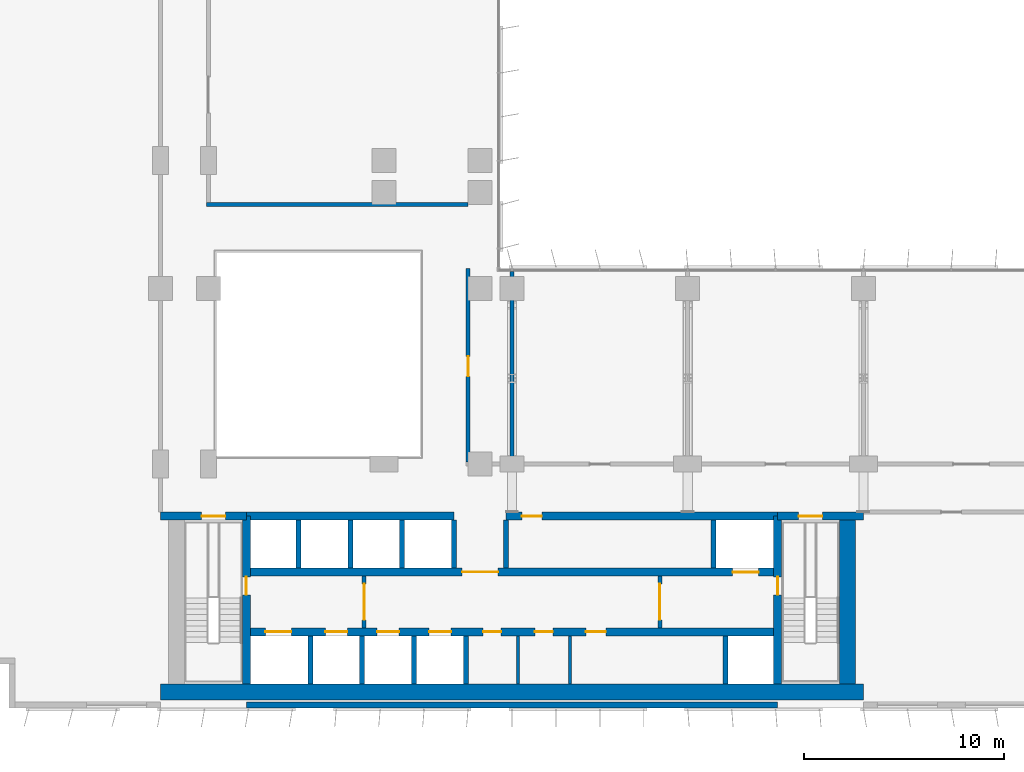
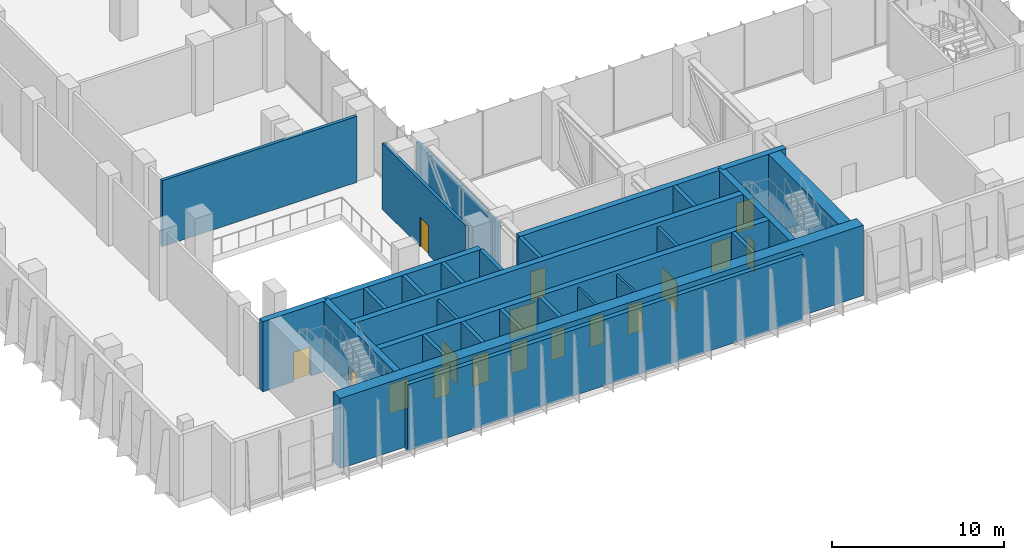
# One storey, part 12 of 21: 29 walls, 17 doors, 17 openings.
"""IFC4 building model written with IfcOpenShell, lengths in metres."""

from ifc_helpers import new_model, si_unit, direction, frame, frame_2d, origin, place, context, subcontext, project, spatial, rectangle, extrude, material, layer, layer_set, type_object, element, fill, save


model = new_model("IFC4")

# Units and contexts
model_context = context("Model", 3, precision=1e-05, world=origin(), true_north=direction((0.0, 1.0)))
body_context = subcontext(model_context, "Body", "Model", "MODEL_VIEW")
ifc_project = project(units=[si_unit("LENGTHUNIT", "METRE"), si_unit("AREAUNIT", "SQUARE_METRE"), si_unit("VOLUMEUNIT", "CUBIC_METRE"), si_unit("PLANEANGLEUNIT", "RADIAN"), si_unit("MASSUNIT", "GRAM", prefix="KILO")], contexts=[model_context])

# Site, building, storey
site_placement = place(None, origin())
site = spatial("IfcSite", under=ifc_project, at=site_placement, CompositionType="ELEMENT")
building_placement = place(site_placement, origin())
building = spatial("IfcBuilding", under=site, at=building_placement, Name="Kemantara Hotel Tower", CompositionType="ELEMENT")
storey_placement = place(building_placement, frame((0.0, 0.0, 133.300048828125)))
storey = spatial("IfcBuildingStorey", under=building, at=storey_placement, Name="L32", CompositionType="ELEMENT", Elevation=133.300048828125)

# Walls
ifc_material_1 = material(Name="Bronze anodised aluminium cladding on insulated steel stud wall", Category="steel")
ifc_layer_1 = layer(ifc_material_1, 0.300048828125)
ifc_layer_set_1 = layer_set([ifc_layer_1], Name="Bronze anodised aluminium cladding on insulated steel stud wall")
wall_type_1 = type_object("IfcWallType", Name="BRONZE METAL-CLAD EXTERNAL WALL 300", PredefinedType="STANDARD", material=ifc_layer_set_1)
wall_1_placement = place(storey_placement, frame((14.10009765625, 0.14990234375, 0.0), z_axis=(0.0, 0.0, 1.0), x_axis=(1.0, 0.0, 0.0)))
element("IfcWall", 1, at=wall_1_placement, inside=storey, type_object=wall_type_1, Name="EXTERNAL WALL L32 T2-R07-2", PredefinedType="STANDARD", context=body_context, shape_type="SweptSolid", body=[
    extrude(rectangle(XDim=26.599853515625, YDim=0.300048828125, at=frame_2d((13.2998046875, 0.0))), origin(), (0.0, 0.0, 1.0), 4.699951171875),
])
ifc_material_2 = material(Name="Concrete fc 70 MPa", Category="concrete")
ifc_layer_2 = layer(ifc_material_2, 0.25)
ifc_layer_set_2 = layer_set([ifc_layer_2], Name="Concrete fc 70 MPa")
wall_type_2 = type_object("IfcWallType", Name="CORE WALL 250 FC70", PredefinedType="SHEAR", material=ifc_layer_set_2)
for number, where, z_axis, x_axis, name in (
    (2, (17.300048828125, 1.199951171875, 0.0), (0.0, 0.0, 1.0), (0.0, 1.0, 0.0), "CORE WALL CW-DS17.3"),
    (3, (19.89990234375, 1.199951171875, 0.0), (0.0, 0.0, 1.0), (0.0, 1.0, 0.0), "CORE WALL CW-DS19.9"),
    (4, (22.5, 1.199951171875, 0.0), (0.0, 0.0, 1.0), (0.0, 1.0, 0.0), "CORE WALL CW-DS22.5"),
    (5, (25.10009765625, 1.199951171875, 0.0), (0.0, 0.0, 1.0), (0.0, 1.0, 0.0), "CORE WALL CW-DS25.1"),
    (6, (38.10009765625, 1.199951171875, 0.0), (0.0, 0.0, 1.0), (0.0, 1.0, 0.0), "CORE WALL CW-DS38.1"),
):
    element("IfcWall", number, at=place(storey_placement, frame(where, z_axis=z_axis, x_axis=x_axis)), inside=storey, type_object=wall_type_2, Name=name, PredefinedType="SHEAR", context=body_context, shape_type="SweptSolid", body=[
        extrude(rectangle(XDim=2.400146484375, YDim=0.25, at=frame_2d((1.2001953125, 0.0))), origin(), (0.0, 0.0, 1.0), 5.0),
    ])
for number, where, z_axis, x_axis, name in (
    (7, (16.699951171875, 7.0, 0.0), (0.0, 0.0, 1.0), (0.0, 1.0, 0.0), "CORE WALL CW-DN16.7"),
    (8, (19.300048828125, 7.0, 0.0), (0.0, 0.0, 1.0), (0.0, 1.0, 0.0), "CORE WALL CW-DN19.3"),
    (9, (21.89990234375, 7.0, 0.0), (0.0, 0.0, 1.0), (0.0, 1.0, 0.0), "CORE WALL CW-DN21.9"),
    (10, (24.5, 7.0, 0.0), (0.0, 0.0, 1.0), (0.0, 1.0, 0.0), "CORE WALL CW-DN24.5"),
    (11, (27.10009765625, 7.0, 0.0), (0.0, 0.0, 1.0), (0.0, 1.0, 0.0), "CORE WALL CW-DN27.1"),
    (12, (37.5, 7.0, 0.0), (0.0, 0.0, 1.0), (0.0, 1.0, 0.0), "CORE WALL CW-DN37.5"),
):
    element("IfcWall", number, at=place(storey_placement, frame(where, z_axis=z_axis, x_axis=x_axis)), inside=storey, type_object=wall_type_2, Name=name, PredefinedType="SHEAR", context=body_context, shape_type="SweptSolid", body=[
        extrude(rectangle(XDim=2.39990234375, YDim=0.25, at=frame_2d((1.199951171875, 0.0))), origin(), (0.0, 0.0, 1.0), 5.0),
    ])

# Wall, opening, door
ifc_layer_3 = layer(ifc_material_2, 0.39990234375)
ifc_layer_set_3 = layer_set([ifc_layer_3], Name="Concrete fc 70 MPa")
wall_type_3 = type_object("IfcWallType", Name="CORE WALL 400 FC70", PredefinedType="SHEAR", material=ifc_layer_set_3)
wall_2_placement = place(storey_placement, frame((9.800048828125, 9.60009765625, 0.0), z_axis=(0.0, 0.0, 1.0), x_axis=(1.0, 0.0, 0.0)))
wall_2 = element("IfcWall", 13, at=wall_2_placement, inside=storey, type_object=wall_type_3, Name="CORE WALL CW-N1", PredefinedType="SHEAR", context=body_context, shape_type="SweptSolid", body=[
    extrude(rectangle(XDim=4.300048828125, YDim=0.39990234375, at=frame_2d((2.14990234375, 0.0))), origin(), (0.0, 0.0, 1.0), 5.0),
])
opening_1_placement = place(wall_2_placement, frame((2.050048828125, 0.0, 0.0)))
opening_1 = element("IfcOpeningElement", 14, at=opening_1_placement, cuts=wall_2, Name="Opening C21-ST1-C", PredefinedType="OPENING", context=body_context, shape_type="SweptSolid", body=[
    extrude(rectangle(XDim=1.199951171875, YDim=2.10009765625, at=frame_2d((0.60009765625, 1.050048828125))), frame((0.0, 0.2099609375, 0.0), z_axis=(0.0, -1.0, 0.0), x_axis=(1.0, 0.0, 0.0)), (0.0, 0.0, 1.0), 0.419921875),
])
ifc_material_3 = material(Name="Steel fire door", Category="steel")
door_type_1 = type_object("IfcDoorType", Name="Fire door FD90 1200 x 2100", OperationType="NOTDEFINED", PredefinedType="DOOR", material=ifc_material_3)
door_1_placement = place(opening_1_placement, frame((1.199951171875, 0.0, 0.0), z_axis=(0.0, 0.0, 1.0), x_axis=(-1.0, 0.0, 0.0)))
door_1 = element("IfcDoor", 15, at=door_1_placement, inside=storey, type_object=door_type_1, Name="Stair ST1 door to corridor", OperationType="SINGLE_SWING_LEFT", OverallHeight=2.10009765625, OverallWidth=1.199951171875, PredefinedType="DOOR", context=body_context, shape_type="SweptSolid", body=[
    extrude(rectangle(XDim=1.199951171875, YDim=2.10009765625, at=frame_2d((0.60009765625, 1.050048828125))), frame((0.0, 0.02490234375, 0.0), z_axis=(0.0, -1.0, 0.0), x_axis=(1.0, 0.0, 0.0)), (0.0, 0.0, 1.0), 0.050048828125),
])
fill(opening_1, door_1)

wall_3_placement = place(storey_placement, frame((40.699951171875, 9.60009765625, 0.0), z_axis=(0.0, 0.0, 1.0), x_axis=(1.0, 0.0, 0.0)))
wall_3 = element("IfcWall", 16, at=wall_3_placement, inside=storey, type_object=wall_type_3, Name="CORE WALL CW-N2", PredefinedType="SHEAR", context=body_context, shape_type="SweptSolid", body=[
    extrude(rectangle(XDim=4.300048828125, YDim=0.39990234375, at=frame_2d((2.14990234375, 0.0))), origin(), (0.0, 0.0, 1.0), 5.0),
])
opening_2_placement = place(wall_3_placement, frame((1.050048828125, 0.0, 0.0)))
opening_2 = element("IfcOpeningElement", 17, at=opening_2_placement, cuts=wall_3, Name="Opening C21-ST2-C", PredefinedType="OPENING", context=body_context, shape_type="SweptSolid", body=[
    extrude(rectangle(XDim=1.199951171875, YDim=2.10009765625, at=frame_2d((0.60009765625, 1.050048828125))), frame((0.0, 0.2099609375, 0.0), z_axis=(0.0, -1.0, 0.0), x_axis=(1.0, 0.0, 0.0)), (0.0, 0.0, 1.0), 0.419921875),
])
door_2_placement = place(opening_2_placement, frame((1.199951171875, 0.0, 0.0), z_axis=(0.0, 0.0, 1.0), x_axis=(-1.0, 0.0, 0.0)))
door_2 = element("IfcDoor", 18, at=door_2_placement, inside=storey, type_object=door_type_1, Name="Stair ST2 door to corridor", OperationType="SINGLE_SWING_RIGHT", OverallHeight=2.10009765625, OverallWidth=1.199951171875, PredefinedType="DOOR", context=body_context, shape_type="SweptSolid", body=[
    extrude(rectangle(XDim=1.199951171875, YDim=2.10009765625, at=frame_2d((0.60009765625, 1.050048828125))), frame((0.0, 0.02490234375, 0.0), z_axis=(0.0, -1.0, 0.0), x_axis=(1.0, 0.0, 0.0)), (0.0, 0.0, 1.0), 0.050048828125),
])
fill(opening_2, door_2)

# Wall
wall_4_placement = place(storey_placement, frame((14.10009765625, 9.60009765625, 0.0), z_axis=(0.0, 0.0, 1.0), x_axis=(1.0, 0.0, 0.0)))
element("IfcWall", 19, at=wall_4_placement, inside=storey, type_object=wall_type_3, Name="CORE WALL CW-NN1", PredefinedType="SHEAR", context=body_context, shape_type="SweptSolid", body=[
    extrude(rectangle(XDim=10.39990234375, YDim=0.39990234375, at=frame_2d((5.199951171875, 0.0))), origin(), (0.0, 0.0, 1.0), 5.0),
])

# Wall, opening, door
wall_5_placement = place(storey_placement, frame((27.10009765625, 9.60009765625, 0.0), z_axis=(0.0, 0.0, 1.0), x_axis=(1.0, 0.0, 0.0)))
wall_5 = element("IfcWall", 20, at=wall_5_placement, inside=storey, type_object=wall_type_3, Name="CORE WALL CW-NN2", PredefinedType="SHEAR", context=body_context, shape_type="SweptSolid", body=[
    extrude(rectangle(XDim=13.599853515625, YDim=0.39990234375, at=frame_2d((6.7998046875, 0.0))), origin(), (0.0, 0.0, 1.0), 5.0),
])
opening_3_placement = place(wall_5_placement, frame((0.800048828125, 0.0, 0.0)))
opening_3 = element("IfcOpeningElement", 21, at=opening_3_placement, cuts=wall_5, Name="Opening C21-R-NE1", PredefinedType="OPENING", context=body_context, shape_type="SweptSolid", body=[
    extrude(rectangle(XDim=1.0, YDim=2.10009765625, at=frame_2d((0.5, 1.050048828125))), frame((0.0, 0.2099609375, 0.0), z_axis=(0.0, -1.0, 0.0), x_axis=(1.0, 0.0, 0.0)), (0.0, 0.0, 1.0), 0.419921875),
])
door_type_2 = type_object("IfcDoorType", Name="Fire door FD60 1000 x 2100", OperationType="NOTDEFINED", PredefinedType="DOOR", material=ifc_material_3)
door_3_placement = place(opening_3_placement, frame((1.0, 0.0, 0.0), z_axis=(0.0, 0.0, 1.0), x_axis=(-1.0, 0.0, 0.0)))
door_3 = element("IfcDoor", 22, at=door_3_placement, inside=storey, type_object=door_type_2, Name="Chilled Water Plant Room door", OperationType="SINGLE_SWING_RIGHT", OverallHeight=2.10009765625, OverallWidth=1.0, PredefinedType="DOOR", context=body_context, shape_type="SweptSolid", body=[
    extrude(rectangle(XDim=1.0, YDim=2.10009765625, at=frame_2d((0.5, 1.050048828125))), frame((0.0, 0.02490234375, 0.0), z_axis=(0.0, -1.0, 0.0), x_axis=(1.0, 0.0, 0.0)), (0.0, 0.0, 1.0), 0.050048828125),
])
fill(opening_3, door_3)

# Wall, openings, doors
wall_6_placement = place(storey_placement, frame((14.10009765625, 3.800048828125, 0.0), z_axis=(0.0, 0.0, 1.0), x_axis=(1.0, 0.0, 0.0)))
wall_6 = element("IfcWall", 23, at=wall_6_placement, inside=storey, type_object=wall_type_3, Name="CORE WALL CW-L1", PredefinedType="SHEAR", context=body_context, shape_type="SweptSolid", body=[
    extrude(rectangle(XDim=26.599853515625, YDim=0.39990234375, at=frame_2d((13.2998046875, 0.0))), origin(), (0.0, 0.0, 1.0), 5.0),
])
opening_4_placement = place(wall_6_placement, frame((0.949951171875, 0.0, 0.0)))
opening_4 = element("IfcOpeningElement", 24, at=opening_4_placement, cuts=wall_6, Name="Opening C21-LD-FF1", PredefinedType="OPENING", context=body_context, shape_type="SweptSolid", body=[
    extrude(rectangle(XDim=1.300048828125, YDim=2.10009765625, at=frame_2d((0.64990234375, 1.050048828125))), frame((0.0, 0.2099609375, 0.0), z_axis=(0.0, -1.0, 0.0), x_axis=(1.0, 0.0, 0.0)), (0.0, 0.0, 1.0), 0.419921875),
])
opening_5_placement = place(wall_6_placement, frame((3.949951171875, 0.0, 0.0)))
opening_5 = element("IfcOpeningElement", 25, at=opening_5_placement, cuts=wall_6, Name="Opening C21-LD-SV1", PredefinedType="OPENING", context=body_context, shape_type="SweptSolid", body=[
    extrude(rectangle(XDim=1.10009765625, YDim=2.10009765625, at=frame_2d((0.550048828125, 1.050048828125))), frame((0.0, 0.2099609375, 0.0), z_axis=(0.0, -1.0, 0.0), x_axis=(1.0, 0.0, 0.0)), (0.0, 0.0, 1.0), 0.419921875),
])
opening_6_placement = place(wall_6_placement, frame((6.550048828125, 0.0, 0.0)))
opening_6 = element("IfcOpeningElement", 26, at=opening_6_placement, cuts=wall_6, Name="Opening C21-LD-SV2", PredefinedType="OPENING", context=body_context, shape_type="SweptSolid", body=[
    extrude(rectangle(XDim=1.10009765625, YDim=2.10009765625, at=frame_2d((0.550048828125, 1.050048828125))), frame((0.0, 0.2099609375, 0.0), z_axis=(0.0, -1.0, 0.0), x_axis=(1.0, 0.0, 0.0)), (0.0, 0.0, 1.0), 0.419921875),
])
opening_7_placement = place(wall_6_placement, frame((9.14990234375, 0.0, 0.0)))
opening_7 = element("IfcOpeningElement", 27, at=opening_7_placement, cuts=wall_6, Name="Opening C21-LD-SV3", PredefinedType="OPENING", context=body_context, shape_type="SweptSolid", body=[
    extrude(rectangle(XDim=1.10009765625, YDim=2.10009765625, at=frame_2d((0.550048828125, 1.050048828125))), frame((0.0, 0.2099609375, 0.0), z_axis=(0.0, -1.0, 0.0), x_axis=(1.0, 0.0, 0.0)), (0.0, 0.0, 1.0), 0.419921875),
])
opening_8_placement = place(wall_6_placement, frame((11.85009765625, 0.0, 0.0)))
opening_8 = element("IfcOpeningElement", 28, at=opening_8_placement, cuts=wall_6, Name="Opening C21-R-SM1", PredefinedType="OPENING", context=body_context, shape_type="SweptSolid", body=[
    extrude(rectangle(XDim=0.89990234375, YDim=2.10009765625, at=frame_2d((0.449951171875, 1.050048828125))), frame((0.0, 0.2099609375, 0.0), z_axis=(0.0, -1.0, 0.0), x_axis=(1.0, 0.0, 0.0)), (0.0, 0.0, 1.0), 0.419921875),
])
opening_9_placement = place(wall_6_placement, frame((14.449951171875, 0.0, 0.0)))
opening_9 = element("IfcOpeningElement", 29, at=opening_9_placement, cuts=wall_6, Name="Opening C21-R-SM2", PredefinedType="OPENING", context=body_context, shape_type="SweptSolid", body=[
    extrude(rectangle(XDim=0.89990234375, YDim=2.10009765625, at=frame_2d((0.449951171875, 1.050048828125))), frame((0.0, 0.2099609375, 0.0), z_axis=(0.0, -1.0, 0.0), x_axis=(1.0, 0.0, 0.0)), (0.0, 0.0, 1.0), 0.419921875),
])
opening_10_placement = place(wall_6_placement, frame((17.0, 0.0, 0.0)))
opening_10 = element("IfcOpeningElement", 30, at=opening_10_placement, cuts=wall_6, Name="Opening C21-R-SM3", PredefinedType="OPENING", context=body_context, shape_type="SweptSolid", body=[
    extrude(rectangle(XDim=1.0, YDim=2.10009765625, at=frame_2d((0.5, 1.050048828125))), frame((0.0, 0.2099609375, 0.0), z_axis=(0.0, -1.0, 0.0), x_axis=(1.0, 0.0, 0.0)), (0.0, 0.0, 1.0), 0.419921875),
])
door_4_placement = place(opening_10_placement, frame((1.0, 0.0, 0.0), z_axis=(0.0, 0.0, 1.0), x_axis=(-1.0, 0.0, 0.0)))
door_4 = element("IfcDoor", 31, at=door_4_placement, inside=storey, type_object=door_type_2, Name="Air Handling Plant Room door", OperationType="SINGLE_SWING_LEFT", OverallHeight=2.10009765625, OverallWidth=1.0, PredefinedType="DOOR", context=body_context, shape_type="SweptSolid", body=[
    extrude(rectangle(XDim=1.0, YDim=2.10009765625, at=frame_2d((0.5, 1.050048828125))), frame((0.0, 0.02490234375, 0.0), z_axis=(0.0, -1.0, 0.0), x_axis=(1.0, 0.0, 0.0)), (0.0, 0.0, 1.0), 0.050048828125),
])
fill(opening_10, door_4)
door_type_3 = type_object("IfcDoorType", Name="Fire door FD60 900 x 2100", OperationType="NOTDEFINED", PredefinedType="DOOR", material=ifc_material_3)
door_5_placement = place(opening_8_placement, frame((0.89990234375, 0.0, 0.0), z_axis=(0.0, 0.0, 1.0), x_axis=(-1.0, 0.0, 0.0)))
door_5 = element("IfcDoor", 32, at=door_5_placement, inside=storey, type_object=door_type_3, Name="Electrical Riser Room door", OperationType="SINGLE_SWING_RIGHT", OverallHeight=2.10009765625, OverallWidth=0.89990234375, PredefinedType="DOOR", context=body_context, shape_type="SweptSolid", body=[
    extrude(rectangle(XDim=0.89990234375, YDim=2.10009765625, at=frame_2d((0.449951171875, 1.050048828125))), frame((0.0, 0.02490234375, 0.0), z_axis=(0.0, -1.0, 0.0), x_axis=(1.0, 0.0, 0.0)), (0.0, 0.0, 1.0), 0.050048828125),
])
fill(opening_8, door_5)
door_6_placement = place(opening_9_placement, frame((0.89990234375, 0.0, 0.0), z_axis=(0.0, 0.0, 1.0), x_axis=(-1.0, 0.0, 0.0)))
door_6 = element("IfcDoor", 33, at=door_6_placement, inside=storey, type_object=door_type_3, Name="Comms Equipment Room door", OperationType="SINGLE_SWING_LEFT", OverallHeight=2.10009765625, OverallWidth=0.89990234375, PredefinedType="DOOR", context=body_context, shape_type="SweptSolid", body=[
    extrude(rectangle(XDim=0.89990234375, YDim=2.10009765625, at=frame_2d((0.449951171875, 1.050048828125))), frame((0.0, 0.02490234375, 0.0), z_axis=(0.0, -1.0, 0.0), x_axis=(1.0, 0.0, 0.0)), (0.0, 0.0, 1.0), 0.050048828125),
])
fill(opening_9, door_6)
ifc_material_4 = material(Name="Stainless steel lift door", Category="steel")
door_type_4 = type_object("IfcDoorType", Name="Lift landing door 1100 x 2100 FD60", OperationType="DOUBLE_DOOR_SLIDING", PredefinedType="DOOR", material=ifc_material_4)
door_7_placement = place(opening_5_placement, origin())
door_7 = element("IfcDoor", 34, at=door_7_placement, inside=storey, type_object=door_type_4, Name="Lift SV1 landing door", OperationType="DOUBLE_DOOR_SLIDING", OverallHeight=2.10009765625, OverallWidth=1.10009765625, PredefinedType="DOOR", context=body_context, shape_type="SweptSolid", body=[
    extrude(rectangle(XDim=1.10009765625, YDim=2.10009765625, at=frame_2d((0.550048828125, 1.050048828125))), frame((0.0, 0.02490234375, 0.0), z_axis=(0.0, -1.0, 0.0), x_axis=(1.0, 0.0, 0.0)), (0.0, 0.0, 1.0), 0.050048828125),
])
fill(opening_5, door_7)
door_8_placement = place(opening_6_placement, origin())
door_8 = element("IfcDoor", 35, at=door_8_placement, inside=storey, type_object=door_type_4, Name="Lift SV2 landing door", OperationType="DOUBLE_DOOR_SLIDING", OverallHeight=2.10009765625, OverallWidth=1.10009765625, PredefinedType="DOOR", context=body_context, shape_type="SweptSolid", body=[
    extrude(rectangle(XDim=1.10009765625, YDim=2.10009765625, at=frame_2d((0.550048828125, 1.050048828125))), frame((0.0, 0.02490234375, 0.0), z_axis=(0.0, -1.0, 0.0), x_axis=(1.0, 0.0, 0.0)), (0.0, 0.0, 1.0), 0.050048828125),
])
fill(opening_6, door_8)
door_9_placement = place(opening_7_placement, origin())
door_9 = element("IfcDoor", 36, at=door_9_placement, inside=storey, type_object=door_type_4, Name="Lift SV3 landing door", OperationType="DOUBLE_DOOR_SLIDING", OverallHeight=2.10009765625, OverallWidth=1.10009765625, PredefinedType="DOOR", context=body_context, shape_type="SweptSolid", body=[
    extrude(rectangle(XDim=1.10009765625, YDim=2.10009765625, at=frame_2d((0.550048828125, 1.050048828125))), frame((0.0, 0.02490234375, 0.0), z_axis=(0.0, -1.0, 0.0), x_axis=(1.0, 0.0, 0.0)), (0.0, 0.0, 1.0), 0.050048828125),
])
fill(opening_7, door_9)
door_type_5 = type_object("IfcDoorType", Name="Lift landing door 1300 x 2100 FD90", OperationType="DOUBLE_DOOR_SLIDING", PredefinedType="DOOR", material=ifc_material_4)
door_10_placement = place(opening_4_placement, origin())
door_10 = element("IfcDoor", 37, at=door_10_placement, inside=storey, type_object=door_type_5, Name="Lift FF1 landing door", OperationType="DOUBLE_DOOR_SLIDING", OverallHeight=2.10009765625, OverallWidth=1.300048828125, PredefinedType="DOOR", context=body_context, shape_type="SweptSolid", body=[
    extrude(rectangle(XDim=1.300048828125, YDim=2.10009765625, at=frame_2d((0.64990234375, 1.050048828125))), frame((0.0, 0.02490234375, 0.0), z_axis=(0.0, -1.0, 0.0), x_axis=(1.0, 0.0, 0.0)), (0.0, 0.0, 1.0), 0.050048828125),
])
fill(opening_4, door_10)

wall_7_placement = place(storey_placement, frame((14.10009765625, 6.800048828125, 0.0), z_axis=(0.0, 0.0, 1.0), x_axis=(1.0, 0.0, 0.0)))
wall_7 = element("IfcWall", 38, at=wall_7_placement, inside=storey, type_object=wall_type_3, Name="CORE WALL CW-L2", PredefinedType="SHEAR", context=body_context, shape_type="SweptSolid", body=[
    extrude(rectangle(XDim=26.599853515625, YDim=0.39990234375, at=frame_2d((13.2998046875, 0.0))), origin(), (0.0, 0.0, 1.0), 5.0),
])
opening_11_placement = place(wall_7_placement, frame((10.800048828125, 0.0, 0.0)))
opening_11 = element("IfcOpeningElement", 39, at=opening_11_placement, cuts=wall_7, Name="Opening C21-VL", PredefinedType="OPENING", context=body_context, shape_type="SweptSolid", body=[
    extrude(rectangle(XDim=1.800048828125, YDim=2.10009765625, at=frame_2d((0.89990234375, 1.050048828125))), frame((0.0, 0.2099609375, 0.0), z_axis=(0.0, -1.0, 0.0), x_axis=(1.0, 0.0, 0.0)), (0.0, 0.0, 1.0), 0.419921875),
])
opening_12_placement = place(wall_7_placement, frame((24.35009765625, 0.0, 0.0)))
opening_12 = element("IfcOpeningElement", 40, at=opening_12_placement, cuts=wall_7, Name="Opening C21-LD-FF2", PredefinedType="OPENING", context=body_context, shape_type="SweptSolid", body=[
    extrude(rectangle(XDim=1.300048828125, YDim=2.10009765625, at=frame_2d((0.64990234375, 1.050048828125))), frame((0.0, 0.2099609375, 0.0), z_axis=(0.0, -1.0, 0.0), x_axis=(1.0, 0.0, 0.0)), (0.0, 0.0, 1.0), 0.419921875),
])
door_type_6 = type_object("IfcDoorType", Name="Fire door pair FD60 1800 x 2100", OperationType="DOUBLE_DOOR_SINGLE_SWING", PredefinedType="DOOR", material=ifc_material_3)
door_11_placement = place(opening_11_placement, frame((1.800048828125, 0.0, 0.0), z_axis=(0.0, 0.0, 1.0), x_axis=(-1.0, 0.0, 0.0)))
door_11 = element("IfcDoor", 41, at=door_11_placement, inside=storey, type_object=door_type_6, Name="Lift lobby entry door", OperationType="DOUBLE_DOOR_SINGLE_SWING", OverallHeight=2.10009765625, OverallWidth=1.800048828125, PredefinedType="DOOR", context=body_context, shape_type="SweptSolid", body=[
    extrude(rectangle(XDim=1.800048828125, YDim=2.10009765625, at=frame_2d((0.89990234375, 1.050048828125))), frame((0.0, 0.02490234375, 0.0), z_axis=(0.0, -1.0, 0.0), x_axis=(1.0, 0.0, 0.0)), (0.0, 0.0, 1.0), 0.050048828125),
])
fill(opening_11, door_11)
door_12_placement = place(opening_12_placement, origin())
door_12 = element("IfcDoor", 42, at=door_12_placement, inside=storey, type_object=door_type_5, Name="Lift FF2 landing door", OperationType="DOUBLE_DOOR_SLIDING", OverallHeight=2.10009765625, OverallWidth=1.300048828125, PredefinedType="DOOR", context=body_context, shape_type="SweptSolid", body=[
    extrude(rectangle(XDim=1.300048828125, YDim=2.10009765625, at=frame_2d((0.64990234375, 1.050048828125))), frame((0.0, 0.02490234375, 0.0), z_axis=(0.0, -1.0, 0.0), x_axis=(1.0, 0.0, 0.0)), (0.0, 0.0, 1.0), 0.050048828125),
])
fill(opening_12, door_12)

# Wall, opening, door
wall_8_placement = place(storey_placement, frame((14.10009765625, 1.199951171875, 0.0), z_axis=(0.0, 0.0, 1.0), x_axis=(0.0, 1.0, 0.0)))
wall_8 = element("IfcWall", 43, at=wall_8_placement, inside=storey, type_object=wall_type_3, Name="CORE WALL CW-ST1E", PredefinedType="SHEAR", context=body_context, shape_type="SweptSolid", body=[
    extrude(rectangle(XDim=8.400146484375, YDim=0.39990234375, at=frame_2d((4.2001953125, 0.0))), origin(), (0.0, 0.0, 1.0), 5.0),
])
opening_13_placement = place(wall_8_placement, frame((4.449951171875, 0.0, 0.0)))
opening_13 = element("IfcOpeningElement", 44, at=opening_13_placement, cuts=wall_8, Name="Opening C21-ST1-F", PredefinedType="OPENING", context=body_context, shape_type="SweptSolid", body=[
    extrude(rectangle(XDim=0.89990234375, YDim=2.10009765625, at=frame_2d((0.449951171875, 1.050048828125))), frame((0.0, 0.2099609375, 0.0), z_axis=(0.0, -1.0, 0.0), x_axis=(1.0, 0.0, 0.0)), (0.0, 0.0, 1.0), 0.419921875),
])
door_type_7 = type_object("IfcDoorType", Name="Fire door FD90 900 x 2100", OperationType="NOTDEFINED", PredefinedType="DOOR", material=ifc_material_3)
door_13_placement = place(opening_13_placement, origin())
door_13 = element("IfcDoor", 45, at=door_13_placement, inside=storey, type_object=door_type_7, Name="Stair ST1 door to firefighting lobby", OperationType="SINGLE_SWING_RIGHT", OverallHeight=2.10009765625, OverallWidth=0.89990234375, PredefinedType="DOOR", context=body_context, shape_type="SweptSolid", body=[
    extrude(rectangle(XDim=0.89990234375, YDim=2.10009765625, at=frame_2d((0.449951171875, 1.050048828125))), frame((0.0, 0.02490234375, 0.0), z_axis=(0.0, -1.0, 0.0), x_axis=(1.0, 0.0, 0.0)), (0.0, 0.0, 1.0), 0.050048828125),
])
fill(opening_13, door_13)

wall_9_placement = place(storey_placement, frame((40.699951171875, 1.199951171875, 0.0), z_axis=(0.0, 0.0, 1.0), x_axis=(0.0, 1.0, 0.0)))
wall_9 = element("IfcWall", 46, at=wall_9_placement, inside=storey, type_object=wall_type_3, Name="CORE WALL CW-ST2W", PredefinedType="SHEAR", context=body_context, shape_type="SweptSolid", body=[
    extrude(rectangle(XDim=8.400146484375, YDim=0.39990234375, at=frame_2d((4.2001953125, 0.0))), origin(), (0.0, 0.0, 1.0), 5.0),
])
opening_14_placement = place(wall_9_placement, frame((4.449951171875, 0.0, 0.0)))
opening_14 = element("IfcOpeningElement", 47, at=opening_14_placement, cuts=wall_9, Name="Opening C21-ST2-F", PredefinedType="OPENING", context=body_context, shape_type="SweptSolid", body=[
    extrude(rectangle(XDim=0.89990234375, YDim=2.10009765625, at=frame_2d((0.449951171875, 1.050048828125))), frame((0.0, 0.2099609375, 0.0), z_axis=(0.0, -1.0, 0.0), x_axis=(1.0, 0.0, 0.0)), (0.0, 0.0, 1.0), 0.419921875),
])
door_14_placement = place(opening_14_placement, frame((0.89990234375, 0.0, 0.0), z_axis=(0.0, 0.0, 1.0), x_axis=(-1.0, 0.0, 0.0)))
door_14 = element("IfcDoor", 48, at=door_14_placement, inside=storey, type_object=door_type_7, Name="Stair ST2 door to firefighting lobby", OperationType="SINGLE_SWING_LEFT", OverallHeight=2.10009765625, OverallWidth=0.89990234375, PredefinedType="DOOR", context=body_context, shape_type="SweptSolid", body=[
    extrude(rectangle(XDim=0.89990234375, YDim=2.10009765625, at=frame_2d((0.449951171875, 1.050048828125))), frame((0.0, 0.02490234375, 0.0), z_axis=(0.0, -1.0, 0.0), x_axis=(1.0, 0.0, 0.0)), (0.0, 0.0, 1.0), 0.050048828125),
])
fill(opening_14, door_14)

# Walls
ifc_layer_4 = layer(ifc_material_2, 0.800048828125)
ifc_layer_set_4 = layer_set([ifc_layer_4], Name="Concrete fc 70 MPa")
wall_type_4 = type_object("IfcWallType", Name="CORE WALL 800 FC70", PredefinedType="SHEAR", material=ifc_layer_set_4)
wall_10_placement = place(storey_placement, frame((9.800048828125, 0.800048828125, 0.0), z_axis=(0.0, 0.0, 1.0), x_axis=(1.0, 0.0, 0.0)))
element("IfcWall", 49, at=wall_10_placement, inside=storey, type_object=wall_type_4, Name="CORE WALL CW-S", PredefinedType="SHEAR", context=body_context, shape_type="SweptSolid", body=[
    extrude(rectangle(XDim=35.199951171875, YDim=0.800048828125, at=frame_2d((17.60009765625, 0.0))), origin(), (0.0, 0.0, 1.0), 5.0),
])
wall_11_placement = place(storey_placement, frame((44.199951171875, 1.199951171875, 0.0), z_axis=(0.0, 0.0, 1.0), x_axis=(0.0, 1.0, 0.0)))
element("IfcWall", 50, at=wall_11_placement, inside=storey, type_object=wall_type_4, Name="CORE WALL CW-E", PredefinedType="SHEAR", context=body_context, shape_type="SweptSolid", body=[
    extrude(rectangle(XDim=8.60009765625, YDim=0.800048828125, at=frame_2d((4.300048828125, 0.0))), origin(), (0.0, 0.0, 1.0), 5.0),
])
ifc_material_5 = material(Name="Clay brick masonry", Category="masonry")
ifc_layer_5 = layer(ifc_material_5, 0.199951171875)
ifc_layer_set_5 = layer_set([ifc_layer_5], Name="Clay brick masonry")
wall_type_5 = type_object("IfcWallType", Name="FIRE-RATED CLAY BRICK WALL 200 EI 120", PredefinedType="PARTITIONING", material=ifc_layer_set_5)
wall_12_placement = place(storey_placement, frame((27.39990234375, 12.300048828125, 0.0), z_axis=(0.0, 0.0, 1.0), x_axis=(0.0, 1.0, 0.0)))
element("IfcWall", 51, at=wall_12_placement, inside=storey, type_object=wall_type_5, Name="FIRE WALL", PredefinedType="PARTITIONING", context=body_context, shape_type="SweptSolid", body=[
    extrude(rectangle(XDim=9.550048828125, YDim=0.199951171875, at=frame_2d((4.77490234375, 0.0))), origin(), (0.0, 0.0, 1.0), 4.130859375),
])
ifc_material_6 = material(Name="Fire-rated gypsum board partition")
ifc_layer_6 = layer(ifc_material_6, 0.199951171875)
ifc_layer_set_6 = layer_set([ifc_layer_6], Name="Fire-rated gypsum board partition")
wall_type_6 = type_object("IfcWallType", Name="FIRE-RATED GYPSUM PARTITION 200 EI 60", PredefinedType="PARTITIONING", material=ifc_layer_set_6)
wall_13_placement = place(storey_placement, frame((12.10009765625, 25.199951171875, 0.0), z_axis=(0.0, 0.0, 1.0), x_axis=(1.0, 0.0, 0.0)))
element("IfcWall", 52, at=wall_13_placement, inside=storey, type_object=wall_type_6, Name="FIRE-RATED PARTITION", PredefinedType="PARTITIONING", context=body_context, shape_type="SweptSolid", body=[
    extrude(rectangle(XDim=13.099853515625, YDim=0.199951171875, at=frame_2d((6.5498046875, 0.0))), origin(), (0.0, 0.0, 1.0), 4.699951171875),
])

# Wall, opening, door
wall_14_placement = place(storey_placement, frame((25.199951171875, 12.300048828125, 0.0), z_axis=(0.0, 0.0, 1.0), x_axis=(0.0, 1.0, 0.0)))
wall_14 = element("IfcWall", 53, at=wall_14_placement, inside=storey, type_object=wall_type_6, Name="FIRE-RATED PARTITION", PredefinedType="PARTITIONING", context=body_context, shape_type="SweptSolid", body=[
    extrude(rectangle(XDim=9.699951171875, YDim=0.199951171875, at=frame_2d((4.85009765625, 0.0))), origin(), (0.0, 0.0, 1.0), 4.699951171875),
])
opening_15_placement = place(wall_14_placement, frame((4.300048828125, 0.0, 0.0)))
opening_15 = element("IfcOpeningElement", 54, at=opening_15_placement, cuts=wall_14, Name="Opening L32-B003", PredefinedType="OPENING", context=body_context, shape_type="SweptSolid", body=[
    extrude(rectangle(XDim=1.0, YDim=2.10009765625, at=frame_2d((0.5, 1.050048828125))), frame((0.0, 0.10986328125, 0.0), z_axis=(0.0, -1.0, 0.0), x_axis=(1.0, 0.0, 0.0)), (0.0, 0.0, 1.0), 0.219970703125),
])
ifc_material_7 = material(Name="Galvanised steel door leaf", Category="steel")
door_type_8 = type_object("IfcDoorType", Name="FIRE-RATED STEEL DOOR 1000 X 2100", OperationType="SINGLE_SWING_LEFT", PredefinedType="DOOR", material=ifc_material_7)
door_15_placement = place(opening_15_placement, frame((1.0, 0.0, 0.0), z_axis=(0.0, 0.0, 1.0), x_axis=(-1.0, 0.0, 0.0)))
door_15 = element("IfcDoor", 55, at=door_15_placement, inside=storey, type_object=door_type_8, Name="FIRE-RATED STEEL DOOR", OperationType="SINGLE_SWING_RIGHT", OverallHeight=2.10009765625, OverallWidth=1.0, PredefinedType="DOOR", context=body_context, shape_type="SweptSolid", body=[
    extrude(rectangle(XDim=1.0, YDim=2.10009765625, at=frame_2d((0.5, 1.050048828125))), frame((0.0, 0.02490234375, 0.0), z_axis=(0.0, -1.0, 0.0), x_axis=(1.0, 0.0, 0.0)), (0.0, 0.0, 1.0), 0.050048828125),
])
fill(opening_15, door_15)

# Walls
ifc_material_8 = material(Name="Gypsum board partition")
ifc_layer_7 = layer(ifc_material_8, 0.14990234375)
ifc_layer_set_7 = layer_set([ifc_layer_7], Name="Gypsum board partition")
wall_type_7 = type_object("IfcWallType", Name="Gypsum board partition 150 mm", PredefinedType="PARTITIONING", material=ifc_layer_set_7)
for number, where, z_axis, x_axis, name in (
    (56, (27.699951171875, 1.199951171875, 0.0), (0.0, 0.0, 1.0), (0.0, 1.0, 0.0), "Core room partition"),
    (57, (30.300048828125, 1.199951171875, 0.0), (0.0, 0.0, 1.0), (0.0, 1.0, 0.0), "Core room partition"),
):
    element("IfcWall", number, at=place(storey_placement, frame(where, z_axis=z_axis, x_axis=x_axis)), inside=storey, type_object=wall_type_7, Name=name, PredefinedType="PARTITIONING", context=body_context, shape_type="SweptSolid", body=[
        extrude(rectangle(XDim=2.400146484375, YDim=0.14990234375, at=frame_2d((1.2001953125, 0.0))), origin(), (0.0, 0.0, 1.0), 4.699951171875),
    ])

# Wall, opening, door
ifc_material_9 = material(Name="Gypsum board shaft wall")
ifc_layer_8 = layer(ifc_material_9, 0.199951171875)
ifc_layer_set_8 = layer_set([ifc_layer_8], Name="Gypsum board shaft wall")
wall_type_8 = type_object("IfcWallType", Name="Gypsum board shaft wall 200 mm", PredefinedType="PARTITIONING", material=ifc_layer_set_8)
wall_15_placement = place(storey_placement, frame((20.0, 4.0, 0.0), z_axis=(0.0, 0.0, 1.0), x_axis=(0.0, 1.0, 0.0)))
wall_15 = element("IfcWall", 58, at=wall_15_placement, inside=storey, type_object=wall_type_8, Name="Firefighting lobby partition west", PredefinedType="PARTITIONING", context=body_context, shape_type="SweptSolid", body=[
    extrude(rectangle(XDim=2.60009765625, YDim=0.199951171875, at=frame_2d((1.300048828125, 0.0))), origin(), (0.0, 0.0, 1.0), 4.699951171875),
])
opening_16_placement = place(wall_15_placement, frame((0.39990234375, 0.0, 0.0)))
opening_16 = element("IfcOpeningElement", 59, at=opening_16_placement, cuts=wall_15, Name="Opening C21-FFW", PredefinedType="OPENING", context=body_context, shape_type="SweptSolid", body=[
    extrude(rectangle(XDim=1.800048828125, YDim=2.10009765625, at=frame_2d((0.89990234375, 1.050048828125))), frame((0.0, 0.10986328125, 0.0), z_axis=(0.0, -1.0, 0.0), x_axis=(1.0, 0.0, 0.0)), (0.0, 0.0, 1.0), 0.219970703125),
])
door_16_placement = place(opening_16_placement, origin())
door_16 = element("IfcDoor", 60, at=door_16_placement, inside=storey, type_object=door_type_6, Name="Firefighting lobby door west", OperationType="DOUBLE_DOOR_SINGLE_SWING", OverallHeight=2.10009765625, OverallWidth=1.800048828125, PredefinedType="DOOR", context=body_context, shape_type="SweptSolid", body=[
    extrude(rectangle(XDim=1.800048828125, YDim=2.10009765625, at=frame_2d((0.89990234375, 1.050048828125))), frame((0.0, 0.02490234375, 0.0), z_axis=(0.0, -1.0, 0.0), x_axis=(1.0, 0.0, 0.0)), (0.0, 0.0, 1.0), 0.050048828125),
])
fill(opening_16, door_16)

wall_16_placement = place(storey_placement, frame((34.800048828125, 4.0, 0.0), z_axis=(0.0, 0.0, 1.0), x_axis=(0.0, 1.0, 0.0)))
wall_16 = element("IfcWall", 61, at=wall_16_placement, inside=storey, type_object=wall_type_8, Name="Firefighting lobby partition east", PredefinedType="PARTITIONING", context=body_context, shape_type="SweptSolid", body=[
    extrude(rectangle(XDim=2.60009765625, YDim=0.199951171875, at=frame_2d((1.300048828125, 0.0))), origin(), (0.0, 0.0, 1.0), 4.699951171875),
])
opening_17_placement = place(wall_16_placement, frame((0.39990234375, 0.0, 0.0)))
opening_17 = element("IfcOpeningElement", 62, at=opening_17_placement, cuts=wall_16, Name="Opening C21-FFE", PredefinedType="OPENING", context=body_context, shape_type="SweptSolid", body=[
    extrude(rectangle(XDim=1.800048828125, YDim=2.10009765625, at=frame_2d((0.89990234375, 1.050048828125))), frame((0.0, 0.10986328125, 0.0), z_axis=(0.0, -1.0, 0.0), x_axis=(1.0, 0.0, 0.0)), (0.0, 0.0, 1.0), 0.219970703125),
])
door_17_placement = place(opening_17_placement, frame((1.800048828125, 0.0, 0.0), z_axis=(0.0, 0.0, 1.0), x_axis=(-1.0, 0.0, 0.0)))
door_17 = element("IfcDoor", 63, at=door_17_placement, inside=storey, type_object=door_type_6, Name="Firefighting lobby door east", OperationType="DOUBLE_DOOR_SINGLE_SWING", OverallHeight=2.10009765625, OverallWidth=1.800048828125, PredefinedType="DOOR", context=body_context, shape_type="SweptSolid", body=[
    extrude(rectangle(XDim=1.800048828125, YDim=2.10009765625, at=frame_2d((0.89990234375, 1.050048828125))), frame((0.0, 0.02490234375, 0.0), z_axis=(0.0, -1.0, 0.0), x_axis=(1.0, 0.0, 0.0)), (0.0, 0.0, 1.0), 0.050048828125),
])
fill(opening_17, door_17)

save(model, "model.ifc")
